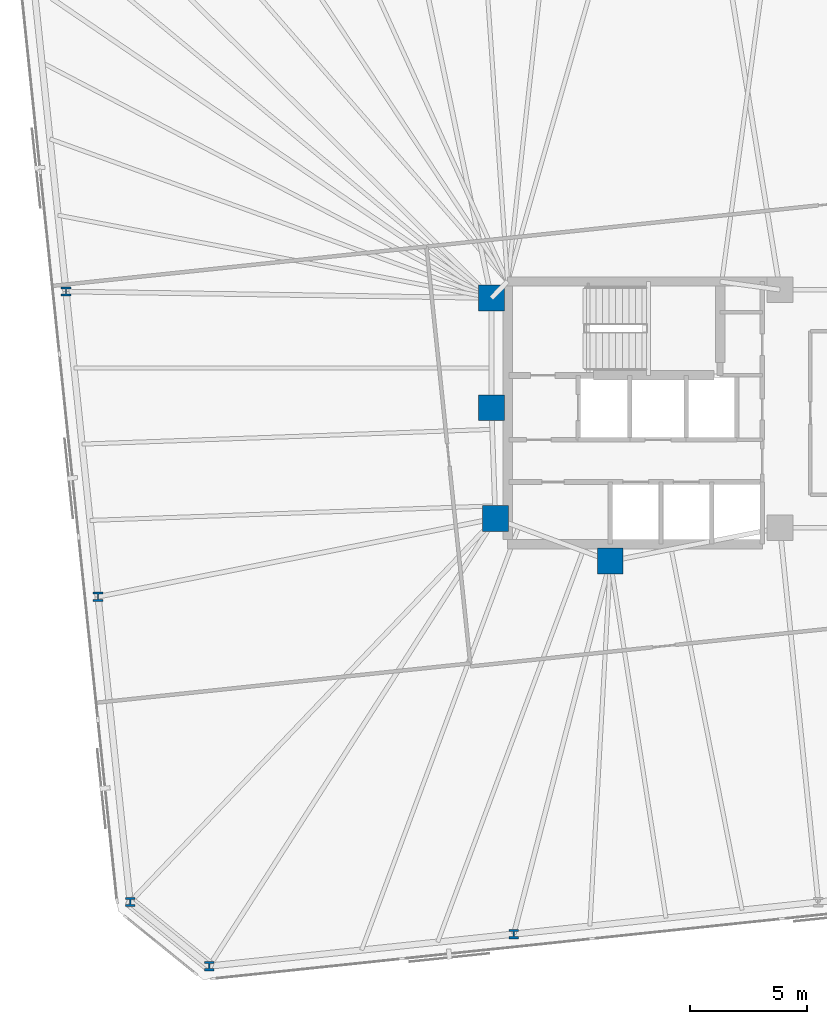
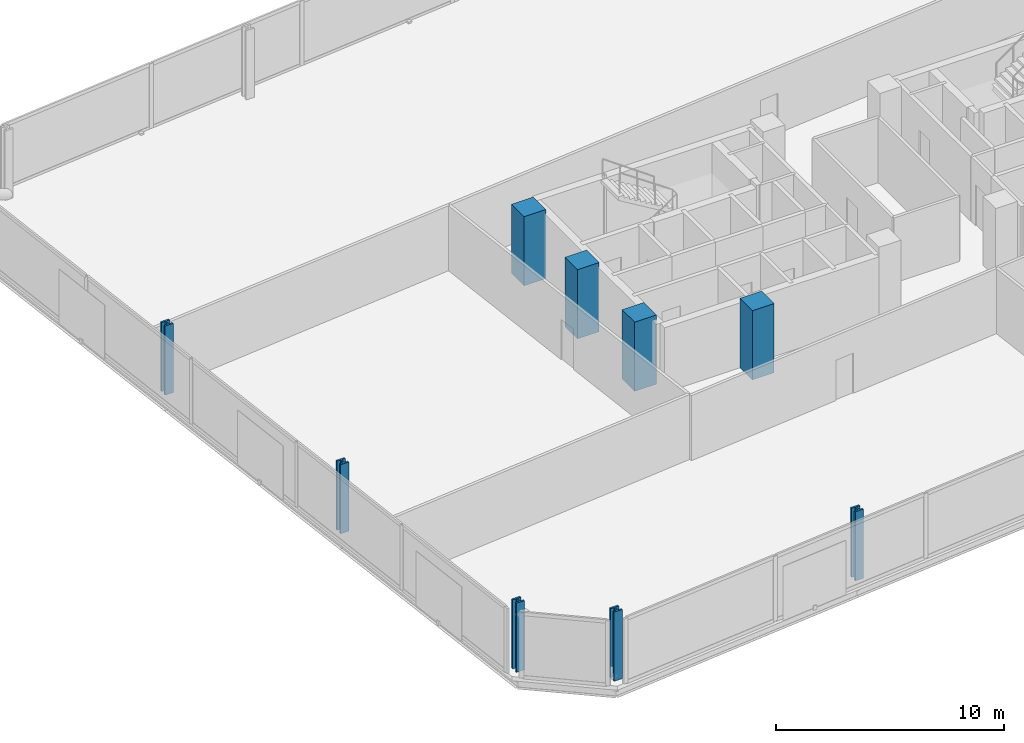
# One storey, part 1 of 17: 9 columns.
"""IFC4 building model written with IfcOpenShell, lengths in metres."""

from ifc_helpers import new_model, si_unit, direction, frame, origin, origin_2d, place, context, subcontext, project, spatial, rectangle, i_section, extrude, material, material_profile, profile_set, type_object, element, save


model = new_model("IFC4")

# Units and contexts
model_context = context("Model", 3, precision=1e-05, world=origin(), true_north=direction((0.0, 1.0)))
body_context = subcontext(model_context, "Body", "Model", "MODEL_VIEW")
ifc_project = project(units=[si_unit("LENGTHUNIT", "METRE"), si_unit("AREAUNIT", "SQUARE_METRE"), si_unit("VOLUMEUNIT", "CUBIC_METRE"), si_unit("PLANEANGLEUNIT", "RADIAN"), si_unit("MASSUNIT", "GRAM", prefix="KILO")], contexts=[model_context])

# Site, building, storey
site_placement = place(None, origin())
site = spatial("IfcSite", under=ifc_project, at=site_placement, CompositionType="ELEMENT")
building_placement = place(site_placement, origin())
building = spatial("IfcBuilding", under=site, at=building_placement, Name="Menara Jurai Vektor", CompositionType="ELEMENT")
storey_placement = place(building_placement, frame((0.0, 0.0, 109.60009765625)))
storey = spatial("IfcBuildingStorey", under=building, at=storey_placement, Name="L27", CompositionType="ELEMENT", Elevation=109.60009765625)

# Columns
ifc_material_1 = material(Name="Concrete C50/60", Category="concrete")
ifc_material_profile_1 = material_profile(ifc_material_1, rectangle(XDim=1.10009765625, YDim=1.10009765625, at=origin_2d()), Name="RC 1100x1100")
ifc_profile_set_1 = profile_set([ifc_material_profile_1], Name="Concrete C50/60")
column_type_1 = type_object("IfcColumnType", Name="STR-COL-RC1100", PredefinedType="COLUMN", material=ifc_profile_set_1)
for number, where, z_axis, x_axis, name in (
    (1, (-15.25, 4.89990234375, 0.0), (0.0, 0.0, 1.0), (1.0, 0.0, 0.0), "Core Spine Column CW-NW L27"),
    (2, (-15.25, 0.219970703125, 0.0), (0.0, 0.0, 1.0), (1.0, 0.0, 0.0), "Core Spine Column CW-WM L27"),
    (3, (-15.080078125, -4.5, 0.0), (0.0, 0.0, 1.0), (1.0, 0.0, 0.0), "Core Spine Column CW-SW L27"),
    (4, (-10.179931640625, -6.320068359375, 0.0), (0.0, 0.0, 1.0), (1.0, 0.0, 0.0), "Core Spine Column CW-SM L27"),
):
    element("IfcColumn", number, at=place(storey_placement, frame(where, z_axis=z_axis, x_axis=x_axis)), inside=storey, type_object=column_type_1, Name=name, PredefinedType="COLUMN", context=body_context, shape_type="SweptSolid", body=[
        extrude(rectangle(XDim=1.10009765625, YDim=1.10009765625, at=origin_2d()), origin(), (0.0, 0.0, 1.0), 3.699951171875),
    ])
ifc_material_2 = material(Name="Steel S460", Category="steel")
ifc_material_profile_2 = material_profile(ifc_material_2, i_section(OverallWidth=0.4130859375, OverallDepth=0.39794921875, WebThickness=0.055908203125, FlangeThickness=0.089111328125, FilletRadius=0.014892578125, at=origin_2d()), Name="HD 400x744")
ifc_profile_set_2 = profile_set([ifc_material_profile_2], Name="Steel S460")
column_type_2 = type_object("IfcColumnType", Name="STR-EXO-BLK2", PredefinedType="COLUMN", material=ifc_profile_set_2)
for number, where, z_axis, x_axis, name in (
    (5, (-27.2763671875, -23.586181640625, 0.0), (0.0, 0.0, 1.0), (1.0, 0.0, 0.0), "Exoskeleton Column BLK2-S1 L27"),
    (6, (-14.296630859375, -22.221923828125, 0.0), (0.0, 0.0, 1.0), (1.0, 0.0, 0.0), "Exoskeleton Column BLK2-S2 L27"),
    (7, (-33.388427734375, 5.175048828125, 0.0), (0.0, 0.0, 1.0), (1.0, 0.0, 0.0), "Exoskeleton Column BLK2-W2 L27"),
    (8, (-32.0205078125, -7.83837890625, 0.0), (0.0, 0.0, 1.0), (1.0, 0.0, 0.0), "Exoskeleton Column BLK2-W3 L27"),
    (9, (-30.65283203125, -20.85205078125, 0.0), (0.0, 0.0, 1.0), (1.0, 0.0, 0.0), "Exoskeleton Column BLK2-W4 L27"),
):
    element("IfcColumn", number, at=place(storey_placement, frame(where, z_axis=z_axis, x_axis=x_axis)), inside=storey, type_object=column_type_2, Name=name, PredefinedType="COLUMN", context=body_context, shape_type="SweptSolid", body=[
        extrude(i_section(OverallWidth=0.4130859375, OverallDepth=0.39794921875, WebThickness=0.055908203125, FlangeThickness=0.089111328125, FilletRadius=0.014892578125, at=origin_2d()), origin(), (0.0, 0.0, 1.0), 3.699951171875),
    ])

save(model, "model.ifc")
